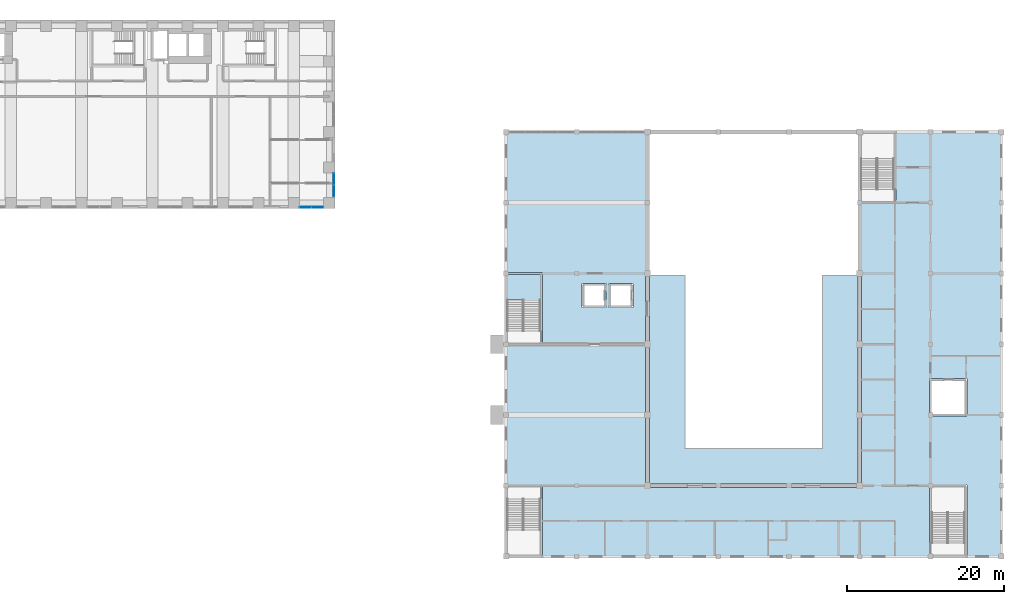
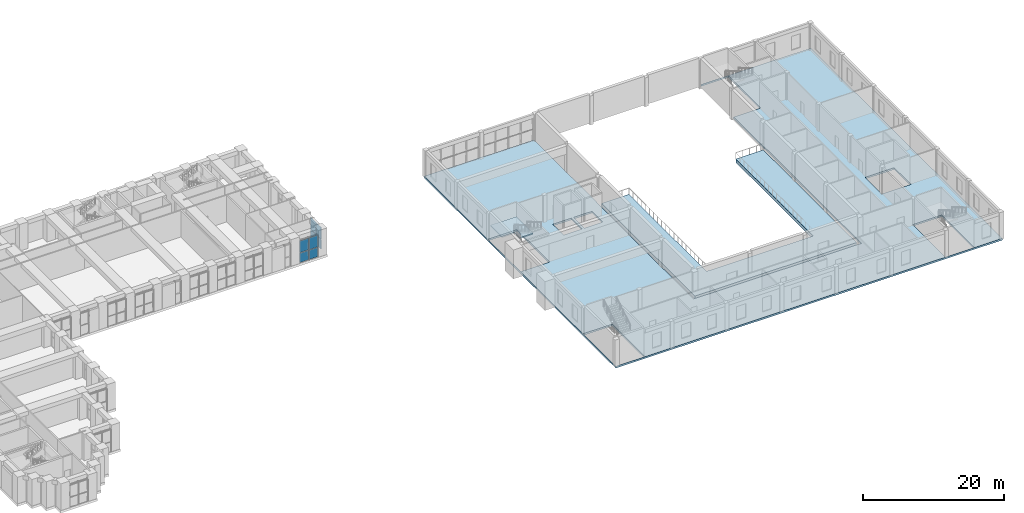
# One storey, part 15 of 34: 8 plates, 3 slabs, 3 elements without a shape of their own.
"""IFC4 building model written with IfcOpenShell, lengths in metres."""

from ifc_helpers import new_model, si_unit, direction, frame, origin, origin_2d, place, context, subcontext, project, spatial, polyline, rectangle, outline, extrude, material, layer, layer_set, type_object, element, aggregate, save


model = new_model("IFC4")

# Units and contexts
model_context = context("Model", 3, precision=1e-05, world=origin(), true_north=direction((0.0, 1.0)))
body_context = subcontext(model_context, "Body", "Model", "MODEL_VIEW")
ifc_project = project(units=[si_unit("LENGTHUNIT", "METRE"), si_unit("AREAUNIT", "SQUARE_METRE"), si_unit("VOLUMEUNIT", "CUBIC_METRE"), si_unit("PLANEANGLEUNIT", "RADIAN"), si_unit("MASSUNIT", "GRAM", prefix="KILO")], contexts=[model_context])

# Site, building, storey
site_placement = place(None, origin())
site = spatial("IfcSite", under=ifc_project, at=site_placement, CompositionType="ELEMENT")
building_placement = place(site_placement, origin())
building = spatial("IfcBuilding", under=site, at=building_placement, Name="Firuza Court", CompositionType="ELEMENT")
storey_placement = place(building_placement, frame((0.0, 0.0, 14.0)))
storey = spatial("IfcBuildingStorey", under=building, at=storey_placement, Name="L02", CompositionType="ELEMENT", Elevation=14.0)

# Curtain wall, plates
ifc_material_1 = material(Name="Aluminium curtain wall, triple clear glazing", Category="aluminium")
curtain_wall_type = type_object("IfcCurtainWallType", Name="Podium unitised curtain wall CW1", PredefinedType="NOTDEFINED", material=ifc_material_1)
curtain_wall_1_placement = place(storey_placement, origin())
curtain_wall_1 = element("IfcCurtainWall", 1, at=curtain_wall_1_placement, inside=storey, type_object=curtain_wall_type, Name="Podium unitised curtain wall CW1 L02", PredefinedType="NOTDEFINED")
ifc_material_2 = material(Name="Triple clear glazing", Category="glass")
ifc_layer_1 = layer(ifc_material_2, 0.031982421875)
ifc_layer_set_1 = layer_set([ifc_layer_1], Name="Triple clear glazing")
plate_type = type_object("IfcPlateType", Name="Glazed panel 32 CW1", PredefinedType="CURTAIN_PANEL", material=ifc_layer_set_1)
plate_1_placement = place(storey_placement, frame((64.489990234375, 35.39990234375, 0.06005859375), z_axis=(0.0, 0.0, 1.0), x_axis=(1.0, 0.0, 0.0)))
plate_1 = element("IfcPlate", 2, at=plate_1_placement, type_object=plate_type, Name="CW1 panel 1.1", PredefinedType="CURTAIN_PANEL", context=body_context, shape_type="SweptSolid", body=[
    extrude(rectangle(XDim=1.4599609375, YDim=0.031982421875, at=origin_2d()), origin(), (0.0, 0.0, 1.0), 1.6650390625),
])
plate_2_placement = place(storey_placement, frame((64.489990234375, 35.39990234375, 1.78515625), z_axis=(0.0, 0.0, 1.0), x_axis=(1.0, 0.0, 0.0)))
plate_2 = element("IfcPlate", 3, at=plate_2_placement, type_object=plate_type, Name="CW1 panel 1.2", PredefinedType="CURTAIN_PANEL", context=body_context, shape_type="SweptSolid", body=[
    extrude(rectangle(XDim=1.4599609375, YDim=0.031982421875, at=origin_2d()), origin(), (0.0, 0.0, 1.0), 2.054931640625),
])
plate_3_placement = place(storey_placement, frame((66.010009765625, 35.39990234375, 0.06005859375), z_axis=(0.0, 0.0, 1.0), x_axis=(1.0, 0.0, 0.0)))
plate_3 = element("IfcPlate", 4, at=plate_3_placement, type_object=plate_type, Name="CW1 panel 2.1", PredefinedType="CURTAIN_PANEL", context=body_context, shape_type="SweptSolid", body=[
    extrude(rectangle(XDim=1.4599609375, YDim=0.031982421875, at=origin_2d()), origin(), (0.0, 0.0, 1.0), 1.6650390625),
])
plate_4_placement = place(storey_placement, frame((66.010009765625, 35.39990234375, 1.78515625), z_axis=(0.0, 0.0, 1.0), x_axis=(1.0, 0.0, 0.0)))
plate_4 = element("IfcPlate", 5, at=plate_4_placement, type_object=plate_type, Name="CW1 panel 2.2", PredefinedType="CURTAIN_PANEL", context=body_context, shape_type="SweptSolid", body=[
    extrude(rectangle(XDim=1.4599609375, YDim=0.031982421875, at=origin_2d()), origin(), (0.0, 0.0, 1.0), 2.054931640625),
])
aggregate(curtain_wall_1, [plate_1, plate_2, plate_3, plate_4])

curtain_wall_2_placement = place(storey_placement, origin())
curtain_wall_2 = element("IfcCurtainWall", 6, at=curtain_wall_2_placement, inside=storey, type_object=curtain_wall_type, Name="Podium unitised curtain wall CW1 L02", PredefinedType="NOTDEFINED")
plate_5_placement = place(storey_placement, frame((68.10009765625, 37.489990234375, 0.06005859375), z_axis=(0.0, 0.0, 1.0), x_axis=(0.0, 1.0, 0.0)))
plate_5 = element("IfcPlate", 7, at=plate_5_placement, type_object=plate_type, Name="CW1 panel 1.1", PredefinedType="CURTAIN_PANEL", context=body_context, shape_type="SweptSolid", body=[
    extrude(rectangle(XDim=1.4599609375, YDim=0.031982421875, at=origin_2d()), origin(), (0.0, 0.0, 1.0), 1.6650390625),
])
plate_6_placement = place(storey_placement, frame((68.10009765625, 37.489990234375, 1.78515625), z_axis=(0.0, 0.0, 1.0), x_axis=(0.0, 1.0, 0.0)))
plate_6 = element("IfcPlate", 8, at=plate_6_placement, type_object=plate_type, Name="CW1 panel 1.2", PredefinedType="CURTAIN_PANEL", context=body_context, shape_type="SweptSolid", body=[
    extrude(rectangle(XDim=1.4599609375, YDim=0.031982421875, at=origin_2d()), origin(), (0.0, 0.0, 1.0), 2.054931640625),
])
plate_7_placement = place(storey_placement, frame((68.10009765625, 39.010009765625, 0.06005859375), z_axis=(0.0, 0.0, 1.0), x_axis=(0.0, 1.0, 0.0)))
plate_7 = element("IfcPlate", 9, at=plate_7_placement, type_object=plate_type, Name="CW1 panel 2.1", PredefinedType="CURTAIN_PANEL", context=body_context, shape_type="SweptSolid", body=[
    extrude(rectangle(XDim=1.4599609375, YDim=0.031982421875, at=origin_2d()), origin(), (0.0, 0.0, 1.0), 1.6650390625),
])
plate_8_placement = place(storey_placement, frame((68.10009765625, 39.010009765625, 1.78515625), z_axis=(0.0, 0.0, 1.0), x_axis=(0.0, 1.0, 0.0)))
plate_8 = element("IfcPlate", 10, at=plate_8_placement, type_object=plate_type, Name="CW1 panel 2.2", PredefinedType="CURTAIN_PANEL", context=body_context, shape_type="SweptSolid", body=[
    extrude(rectangle(XDim=1.4599609375, YDim=0.031982421875, at=origin_2d()), origin(), (0.0, 0.0, 1.0), 2.054931640625),
])
aggregate(curtain_wall_2, [plate_5, plate_6, plate_7, plate_8])

# Slabs
ifc_material_3 = material(Name="Concrete C40/50", Category="concrete")
ifc_layer_2 = layer(ifc_material_3, 0.60009765625)
ifc_layer_set_2 = layer_set([ifc_layer_2], Name="Concrete C40/50")
slab_type_1 = type_object("IfcSlabType", Name="HALL BALCONY SLAB 600", PredefinedType="FLOOR", material=ifc_layer_set_2)
slab_1_placement = place(storey_placement, frame((0.0, 0.0, -0.60009765625)))
element("IfcSlab", 11, at=slab_1_placement, inside=storey, type_object=slab_type_1, Name="Balcony slab L02", PredefinedType="FLOOR", context=body_context, shape_type="SweptSolid", body=[
    extrude(outline(polyline([(134.75, 26.75), (134.75, 0.25), (108.25, 0.25), (108.25, 26.75), (112.75, 26.75), (112.75, 4.75), (130.25, 4.75), (130.25, 26.75), (134.75, 26.75)])), origin(), (0.0, 0.0, 1.0), 0.60009765625),
])
ifc_layer_3 = layer(ifc_material_3, 0.300048828125)
ifc_layer_set_3 = layer_set([ifc_layer_3], Name="Concrete C40/50")
slab_type_2 = type_object("IfcSlabType", Name="HALL FLAT SLAB 300", PredefinedType="FLOOR", material=ifc_layer_set_3)
slab_2_placement = place(storey_placement, frame((0.0, 0.0, -0.300048828125)))
element("IfcSlab", 12, at=slab_2_placement, inside=storey, type_object=slab_type_2, Name="Floor slab L02.3", PredefinedType="FLOOR", context=body_context, shape_type="SweptSolid", body=[
    extrude(outline(polyline([(107.824951171875, 45.175048828125), (107.824951171875, 27.25), (107.75, 27.25), (107.75, -0.25), (135.25, -0.25), (135.25, 27.25), (135.175048828125, 27.25), (135.175048828125, 35.875), (139.625, 35.875), (139.625, 45.125), (135.175048828125, 45.125), (135.175048828125, 45.175048828125), (153.175048828125, 45.175048828125), (153.175048828125, -9.175048828125), (89.824951171875, -9.175048828125), (89.824951171875, 45.175048828125), (107.824951171875, 45.175048828125)]), holes=[polyline([(94.625, -9.125), (94.625, 0.125), (89.875, 0.125), (89.875, -9.125), (94.625, -9.125)]), polyline([(148.625, -9.125), (148.625, 0.125), (143.875, 0.125), (143.875, -9.125), (148.625, -9.125)]), polyline([(148.625, 8.875), (148.625, 13.625), (143.875, 13.625), (143.875, 8.875), (148.625, 8.875)]), polyline([(94.625, 17.875), (94.625, 27.125), (89.875, 27.125), (89.875, 17.875), (94.625, 17.875)]), polyline([(102.72509765625, 22.675048828125), (102.72509765625, 25.72509765625), (99.675048828125, 25.72509765625), (99.675048828125, 22.675048828125), (102.72509765625, 22.675048828125)]), polyline([(106.125, 22.675048828125), (106.125, 25.72509765625), (103.074951171875, 25.72509765625), (103.074951171875, 22.675048828125), (106.125, 22.675048828125)])]), origin(), (0.0, 0.0, 1.0), 0.300048828125),
])

# Stair, slab
ifc_material_4 = material(Name="Concrete C40/50", Category="concrete")
stair_type = type_object("IfcStairType", Name="HALL STAIR", PredefinedType="NOTDEFINED", material=ifc_material_4)
stair_placement = place(storey_placement, origin())
stair = element("IfcStair", 13, at=stair_placement, inside=storey, type_object=stair_type, Name="Stair H3 L02", PredefinedType="NOTDEFINED")
ifc_layer_4 = layer(ifc_material_3, 0.199951171875)
ifc_layer_set_4 = layer_set([ifc_layer_4], Name="Concrete C40/50")
slab_type_3 = type_object("IfcSlabType", Name="HALL STAIR LANDING 200", PredefinedType="LANDING", material=ifc_layer_set_4)
slab_3_placement = place(storey_placement, frame((0.0, 0.0, 2.300048828125)))
slab_3 = element("IfcSlab", 14, at=slab_3_placement, type_object=slab_type_3, Name="HS-3 landing 1", PredefinedType="LANDING", context=body_context, shape_type="SweptSolid", body=[
    extrude(outline(polyline([(90.125, 23.610107421875), (92.199951171875, 23.610107421875), (92.199951171875, 22.1201171875), (94.375, 22.1201171875), (94.375, 26.875), (90.125, 26.875), (90.125, 23.610107421875)])), origin(), (0.0, 0.0, 1.0), 0.199951171875),
])
aggregate(stair, [slab_3])

save(model, "model.ifc")
